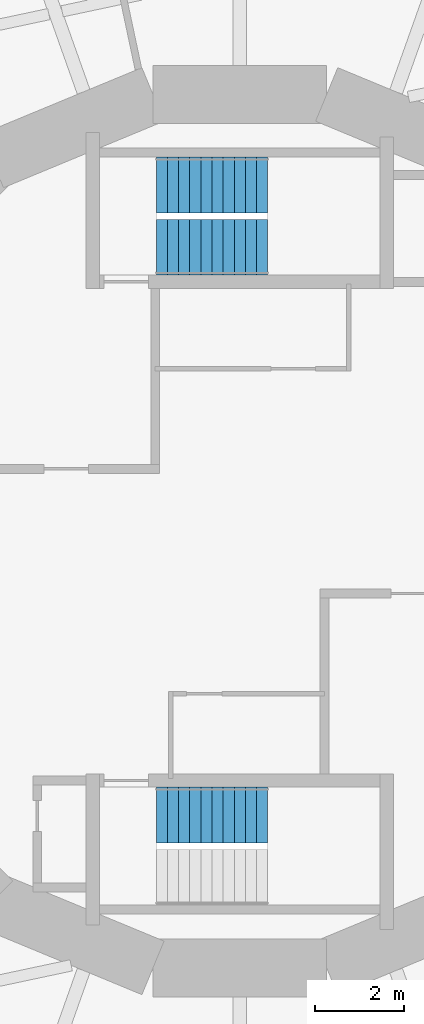
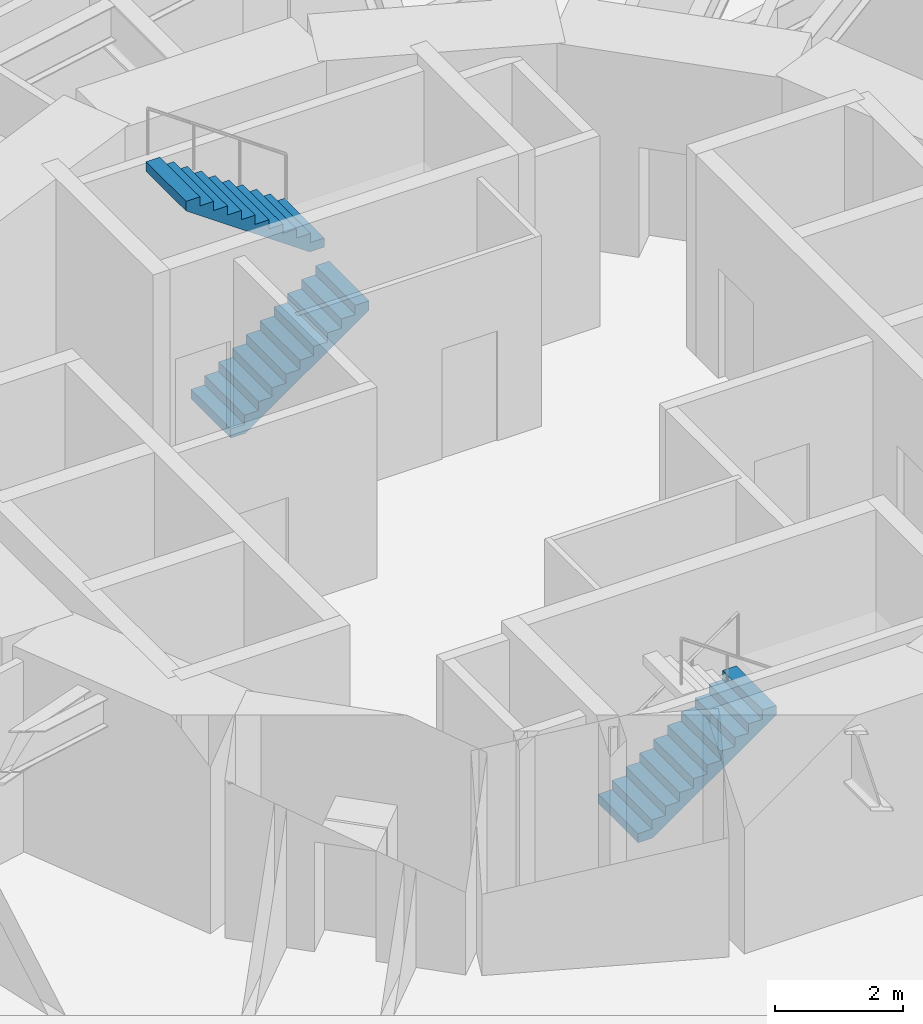
# One storey, part 12 of 14: 3 stair flights, 2 elements without a shape of their own.
"""IFC4 building model written with IfcOpenShell, lengths in metres."""

from ifc_helpers import new_model, si_unit, direction, frame, origin, place, context, subcontext, project, spatial, polyline, outline, extrude, material, type_object, element, aggregate, save


model = new_model("IFC4")

# Units and contexts
model_context = context("Model", 3, precision=1e-05, world=origin(), true_north=direction((0.0, 1.0)))
body_context = subcontext(model_context, "Body", "Model", "MODEL_VIEW")
ifc_project = project(units=[si_unit("LENGTHUNIT", "METRE"), si_unit("AREAUNIT", "SQUARE_METRE"), si_unit("VOLUMEUNIT", "CUBIC_METRE"), si_unit("PLANEANGLEUNIT", "RADIAN"), si_unit("MASSUNIT", "GRAM", prefix="KILO")], contexts=[model_context])

# Site, building, storey
site_placement = place(None, origin())
site = spatial("IfcSite", under=ifc_project, at=site_placement, CompositionType="ELEMENT")
building_placement = place(site_placement, origin())
building = spatial("IfcBuilding", under=site, at=building_placement, Name="Nakasero Lantern House", CompositionType="ELEMENT")
storey_placement = place(building_placement, frame((0.0, 0.0, 128.10009765625)))
storey = spatial("IfcBuildingStorey", under=building, at=storey_placement, Name="L31", CompositionType="ELEMENT", Elevation=128.10009765625)

# Stair, stair flights
ifc_material_1 = material(Name="Concrete C40/50", Category="concrete")
stair_type_1 = type_object("IfcStairType", Name="Escape stair ST1 22 risers", PredefinedType="HALF_TURN_STAIR", material=ifc_material_1)
stair_1_placement = place(storey_placement, origin())
stair_1 = element("IfcStair", 1, at=stair_1_placement, inside=storey, type_object=stair_type_1, Name="Escape stair ST1 L31", PredefinedType="HALF_TURN_STAIR")
ifc_material_2 = material(Name="Concrete C40/50", Category="concrete")
stair_flight_type = type_object("IfcStairFlightType", Name="Escape stair flight", PredefinedType="STRAIGHT", material=ifc_material_2)
stair_flight_1_placement = place(storey_placement, frame((-1.875, 6.375, 0.0), z_axis=(0.0, 0.0, 1.0), x_axis=(1.0, 0.0, 0.0)))
stair_flight_1 = element("IfcStairFlight", 2, at=stair_flight_1_placement, type_object=stair_flight_type, Name="ST1 flight 1", NumberOfRisers=11, NumberOfTreads=10, PredefinedType="STRAIGHT", RiserHeight=0.175, TreadLength=0.25, context=body_context, shape_type="SweptSolid", body=[
    extrude(outline(polyline([(0.0, 0.0), (0.0, 0.175048828125), (0.25, 0.175048828125), (0.25, 0.35009765625), (0.5, 0.35009765625), (0.5, 0.52490234375), (0.75, 0.52490234375), (0.75, 0.699951171875), (1.0, 0.699951171875), (1.0, 0.875), (1.25, 0.875), (1.25, 1.050048828125), (1.5, 1.050048828125), (1.5, 1.22509765625), (1.75, 1.22509765625), (1.75, 1.39990234375), (2.0, 1.39990234375), (2.0, 1.574951171875), (2.25, 1.574951171875), (2.25, 1.75), (2.5, 1.75), (2.5, 1.925048828125), (2.5, 1.567138671875), (0.261474609375, 0.0), (0.0, 0.0)])), frame((0.0, 0.625, 0.0), z_axis=(0.0, -1.0, 0.0), x_axis=(1.0, 0.0, 0.0)), (0.0, 0.0, 1.0), 1.25),
])
stair_flight_2_placement = place(storey_placement, frame((0.625, 7.77490234375, 1.9248046875), z_axis=(0.0, 0.0, 1.0), x_axis=(-1.0, 0.0, 0.0)))
stair_flight_2 = element("IfcStairFlight", 3, at=stair_flight_2_placement, type_object=stair_flight_type, Name="ST1 flight 2", NumberOfRisers=11, NumberOfTreads=10, PredefinedType="STRAIGHT", RiserHeight=0.175, TreadLength=0.25, context=body_context, shape_type="SweptSolid", body=[
    extrude(outline(polyline([(0.0, 0.0), (0.0, 0.175048828125), (0.25, 0.175048828125), (0.25, 0.35009765625), (0.5, 0.35009765625), (0.5, 0.52490234375), (0.75, 0.52490234375), (0.75, 0.699951171875), (1.0, 0.699951171875), (1.0, 0.875), (1.25, 0.875), (1.25, 1.050048828125), (1.5, 1.050048828125), (1.5, 1.22509765625), (1.75, 1.22509765625), (1.75, 1.39990234375), (2.0, 1.39990234375), (2.0, 1.574951171875), (2.25, 1.574951171875), (2.25, 1.75), (2.5, 1.75), (2.5, 1.925048828125), (2.5, 1.567138671875), (0.261474609375, 0.0), (0.0, 0.0)])), frame((0.0, 0.625, 0.0), z_axis=(0.0, -1.0, 0.0), x_axis=(1.0, 0.0, 0.0)), (0.0, 0.0, 1.0), 1.25),
])
aggregate(stair_1, [stair_flight_1, stair_flight_2])

# Stair, stair flight
ifc_material_3 = material(Name="Concrete C40/50", Category="concrete")
stair_type_2 = type_object("IfcStairType", Name="Escape stair ST2 22 risers", PredefinedType="HALF_TURN_STAIR", material=ifc_material_3)
stair_2_placement = place(storey_placement, origin())
stair_2 = element("IfcStair", 4, at=stair_2_placement, inside=storey, type_object=stair_type_2, Name="Escape stair ST2 L31", PredefinedType="HALF_TURN_STAIR")
stair_flight_3_placement = place(storey_placement, frame((-1.875, -6.375, 0.0), z_axis=(0.0, 0.0, 1.0), x_axis=(1.0, 0.0, 0.0)))
stair_flight_3 = element("IfcStairFlight", 5, at=stair_flight_3_placement, type_object=stair_flight_type, Name="ST2 flight 1", NumberOfRisers=11, NumberOfTreads=10, PredefinedType="STRAIGHT", RiserHeight=0.175, TreadLength=0.25, context=body_context, shape_type="SweptSolid", body=[
    extrude(outline(polyline([(0.0, 0.0), (0.0, 0.175048828125), (0.25, 0.175048828125), (0.25, 0.35009765625), (0.5, 0.35009765625), (0.5, 0.52490234375), (0.75, 0.52490234375), (0.75, 0.699951171875), (1.0, 0.699951171875), (1.0, 0.875), (1.25, 0.875), (1.25, 1.050048828125), (1.5, 1.050048828125), (1.5, 1.22509765625), (1.75, 1.22509765625), (1.75, 1.39990234375), (2.0, 1.39990234375), (2.0, 1.574951171875), (2.25, 1.574951171875), (2.25, 1.75), (2.5, 1.75), (2.5, 1.925048828125), (2.5, 1.567138671875), (0.261474609375, 0.0), (0.0, 0.0)])), frame((0.0, 0.625, 0.0), z_axis=(0.0, -1.0, 0.0), x_axis=(1.0, 0.0, 0.0)), (0.0, 0.0, 1.0), 1.25),
])
aggregate(stair_2, [stair_flight_3])

save(model, "model.ifc")
